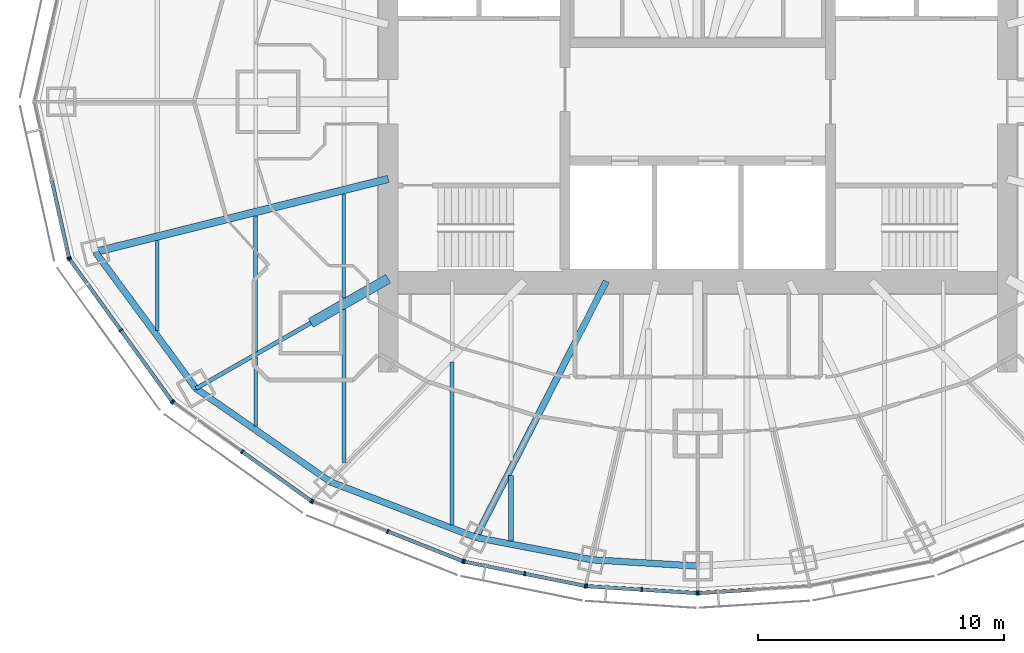
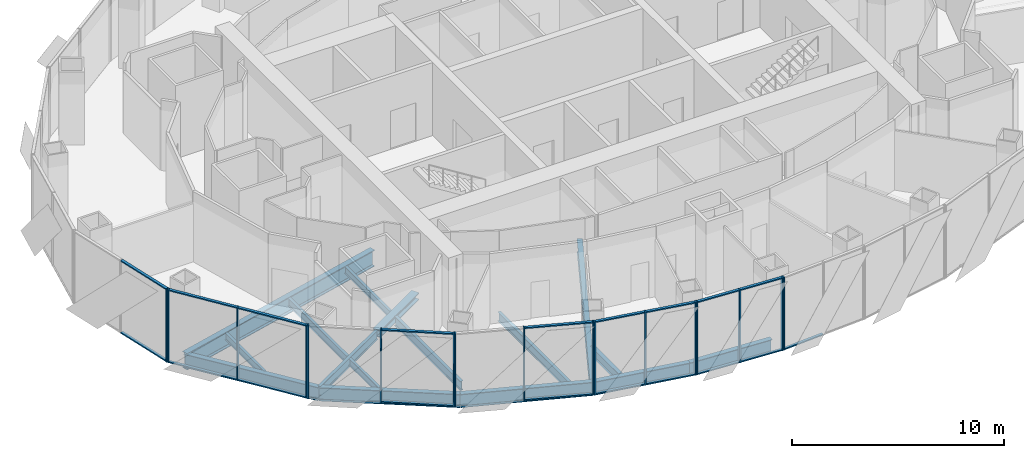
# One storey, part 2 of 18: 36 members, 16 beams, 7 elements without a shape of their own.
"""IFC4 building model written with IfcOpenShell, lengths in metres."""

import ifcopenshell
import ifcopenshell.guid

model = None  # the IFC model being written
_history = None  # IfcOwnerHistory: only IFC2X3 demands one
_inside = {}  # id of a spatial element -> (the spatial element, [elements in it])
_under = {}  # id of a project, library or spatial element -> (it, [spatial elements below it])
_declared = {}  # id of a project -> (the project, [libraries it declares])
_typed = {}  # id of a type object -> (the type object, [elements of that type])
_made_of = {}  # id of a material, layer set ... -> (it, [elements and type objects made of it])


def new_model(schema):
    """Start an empty IFC model of exactly this schema.

    Asked for "IFC4X3", IfcOpenShell would pick the latest addendum, in which some entities
    have other attributes; the version numbers below select the first issue.
    IFC2X3 requires an IfcOwnerHistory on every rooted entity: one is made here for all.
    """
    global model, _history
    if schema == "IFC4X3":
        model = ifcopenshell.file(schema_version=(4, 3, 0, 0))
    else:
        model = ifcopenshell.file(schema=schema)
    _inside.clear()
    _under.clear()
    _declared.clear()
    _typed.clear()
    _made_of.clear()
    _history = None
    if model.schema == "IFC2X3":
        org = make("IfcOrganization", Name="unknown")
        user = make(
            "IfcPersonAndOrganization",
            ThePerson=make("IfcPerson", FamilyName="unknown"),
            TheOrganization=org,
        )
        app = make(
            "IfcApplication",
            ApplicationDeveloper=org,
            Version="unknown",
            ApplicationFullName="unknown",
            ApplicationIdentifier="unknown",
        )
        _history = make(
            "IfcOwnerHistory",
            OwningUser=user,
            OwningApplication=app,
            ChangeAction="ADDED",
            CreationDate=0,
        )
    return model


def make(cls, **values):
    """One entity of the class cls with the attributes given. An attribute that is None is left unset."""
    return model.create_entity(
        cls, **{name: value for name, value in values.items() if value is not None}
    )


def rooted(cls, **values):
    """An entity with a GlobalId (a new one), such as an element, a storey or a relation."""
    return make(cls, GlobalId=ifcopenshell.guid.new(), OwnerHistory=_history, **values)


def si_unit(unit_type, name, prefix=None):
    """IfcSIUnit, for example si_unit("LENGTHUNIT", "METRE", prefix="MILLI")."""
    return make("IfcSIUnit", UnitType=unit_type, Prefix=prefix, Name=name)


def assignment(units):
    """IfcUnitAssignment: the units of a project."""
    return None if units is None else make("IfcUnitAssignment", Units=units)


def point(xyz):
    """IfcCartesianPoint."""
    return None if xyz is None else make("IfcCartesianPoint", Coordinates=xyz)


def direction(xyz):
    """IfcDirection."""
    return None if xyz is None else make("IfcDirection", DirectionRatios=xyz)


def frame(location, z_axis=None, x_axis=None):
    """IfcAxis2Placement3D, a coordinate frame: its origin and axes. An axis left out is left unset."""
    return make(
        "IfcAxis2Placement3D",
        Location=point(location),
        Axis=direction(z_axis),
        RefDirection=direction(x_axis),
    )


def frame_2d(location, x_axis=None):
    """IfcAxis2Placement2D, a coordinate frame in the plane: its origin and x axis."""
    return make(
        "IfcAxis2Placement2D", Location=point(location), RefDirection=direction(x_axis)
    )


def origin():
    """The frame at (0, 0, 0) with its axes left unset."""
    return frame((0.0, 0.0, 0.0))


def origin_2d():
    """The frame at (0, 0) in the plane with its x axis left unset."""
    return frame_2d((0.0, 0.0))


def place(relative_to, where):
    """IfcLocalPlacement: puts the frame where relative to a parent placement (None: the world)."""
    return make(
        "IfcLocalPlacement", PlacementRelTo=relative_to, RelativePlacement=where
    )


def context(
    kind, dimensions, precision=None, world=None, true_north=None, identifier=None
):
    """IfcGeometricRepresentationContext, for example the 3D "Model" context."""
    return make(
        "IfcGeometricRepresentationContext",
        ContextIdentifier=identifier,
        ContextType=kind,
        CoordinateSpaceDimension=dimensions,
        Precision=precision,
        WorldCoordinateSystem=world,
        TrueNorth=true_north,
    )


def subcontext(parent, identifier, kind, view, scale=None):
    """IfcGeometricRepresentationSubContext, for example "Body" below "Model"."""
    return make(
        "IfcGeometricRepresentationSubContext",
        ContextIdentifier=identifier,
        ContextType=kind,
        ParentContext=parent,
        TargetScale=scale,
        TargetView=view,
    )


def project(units=None, contexts=None):
    """IfcProject with its units and contexts."""
    return rooted(
        "IfcProject",
        Name="project",
        RepresentationContexts=contexts,
        UnitsInContext=assignment(units),
    )


def spatial(cls, under=None, at=None, **own):
    """A site, building, storey or space (cls), placed at a placement, below another one or the project."""
    s = rooted(cls, ObjectPlacement=at, **own)
    if under is not None:
        _under.setdefault(under.id(), (under, []))[1].append(s)
    return s


def profile(cls, at=None, kind="AREA", **sizes):
    """A parametric profile (cls). Its sizes go by their IFC names, for example OverallWidth=200.0."""
    return make(cls, ProfileType=kind, Position=at, **sizes)


def rectangle(**sizes):
    """IfcRectangleProfileDef."""
    return profile("IfcRectangleProfileDef", **sizes)


def i_section(**sizes):
    """IfcIShapeProfileDef."""
    return profile("IfcIShapeProfileDef", **sizes)


def extrude(swept, where, along, depth):
    """IfcExtrudedAreaSolid: the profile swept, set in the frame where, extruded along a direction by depth."""
    return make(
        "IfcExtrudedAreaSolid",
        SweptArea=swept,
        Position=where,
        ExtrudedDirection=direction(along),
        Depth=depth,
    )


def shape(context_of_items, identifier, shape_type, items):
    """IfcShapeRepresentation: the items that make up one representation, for example the "Body"."""
    return make(
        "IfcShapeRepresentation",
        ContextOfItems=context_of_items,
        RepresentationIdentifier=identifier,
        RepresentationType=shape_type,
        Items=items,
    )


def material(Name=None, Category=None):
    """IfcMaterial."""
    return make("IfcMaterial", Name=Name, Category=Category)


def material_profile(
    of_material, cross_section, Name=None, Category=None, Priority=None
):
    """IfcMaterialProfile: a cross section and its material."""
    return make(
        "IfcMaterialProfile",
        Name=Name,
        Material=of_material,
        Profile=cross_section,
        Priority=Priority,
        Category=Category,
    )


def profile_set(profiles, Name=None, composite=None):
    """IfcMaterialProfileSet."""
    return make(
        "IfcMaterialProfileSet",
        Name=Name,
        MaterialProfiles=profiles,
        CompositeProfile=composite,
    )


def made_of(thing, what):
    """Note that an element or type object is made of a material, layer set ...; save() writes the relation."""
    if what is not None:
        _made_of.setdefault(what.id(), (what, []))[1].append(thing)
    return thing


def type_object(cls, material=None, **own):
    """A type object (cls), such as IfcWallType, which elements share."""
    return made_of(rooted(cls, **own), material)


def element(
    cls,
    number,
    at=None,
    inside=None,
    cuts=None,
    type_object=None,
    material=None,
    context=None,
    identifier="Body",
    shape_type=None,
    held_by="IfcProductDefinitionShape",
    body=None,
    shapes=None,
    **own,
):
    """One element of the class cls, such as IfcWall. Its Tag is "e" and its number.

    at: its placement. inside: the storey or other place that contains it. cuts: it is an
    opening in that element (IfcRelVoidsElement). A single representation is given by context,
    identifier, shape_type and body (its items); several are given by shapes. held_by: the class
    of the entity that holds the representations. save() writes the other relations.
    """
    e = rooted(cls, Tag="e%d" % number, ObjectPlacement=at, **own)
    if body is not None:
        shapes = [shape(context, identifier, shape_type, body)]
    if shapes is not None:
        e.Representation = make(held_by, Representations=shapes)
    if inside is not None:
        _inside.setdefault(inside.id(), (inside, []))[1].append(e)
    if cuts is not None:
        rooted(
            "IfcRelVoidsElement", RelatingBuildingElement=cuts, RelatedOpeningElement=e
        )
    if type_object is not None:
        _typed.setdefault(type_object.id(), (type_object, []))[1].append(e)
    return made_of(e, material)


def aggregate(whole, parts):
    """IfcRelAggregates: a whole, such as a stair, and the parts it consists of."""
    return rooted("IfcRelAggregates", RelatingObject=whole, RelatedObjects=parts)


def save(model, path):
    """Write the relations noted so far, then the file.

    IfcRelAggregates (storeys below a building ...), IfcRelContainedInSpatialStructure (elements
    in a storey), IfcRelDefinesByType, IfcRelAssociatesMaterial and IfcRelDeclares: one each for
    every whole, place, type object, material and project.
    """
    for whole, parts in _under.values():
        aggregate(whole, parts)
    for where, things in _inside.values():
        rooted(
            "IfcRelContainedInSpatialStructure",
            RelatedElements=things,
            RelatingStructure=where,
        )
    for kind, things in _typed.values():
        rooted("IfcRelDefinesByType", RelatedObjects=things, RelatingType=kind)
    for what, things in _made_of.values():
        rooted("IfcRelAssociatesMaterial", RelatedObjects=things, RelatingMaterial=what)
    for by, libraries in _declared.values():
        rooted("IfcRelDeclares", RelatingContext=by, RelatedDefinitions=libraries)
    model.write(path)


model = new_model("IFC4")

# Units and contexts
model_context = context("Model", 3, precision=1e-05, world=origin(), true_north=direction((0.0, 1.0)))
body_context = subcontext(model_context, "Body", "Model", "MODEL_VIEW")
ifc_project = project(units=[si_unit("LENGTHUNIT", "METRE"), si_unit("AREAUNIT", "SQUARE_METRE"), si_unit("VOLUMEUNIT", "CUBIC_METRE"), si_unit("PLANEANGLEUNIT", "RADIAN"), si_unit("MASSUNIT", "GRAM", prefix="KILO")], contexts=[model_context])

# Site, building, storey
site_placement = place(None, origin())
site = spatial("IfcSite", under=ifc_project, at=site_placement, CompositionType="ELEMENT")
building_placement = place(site_placement, origin())
building = spatial("IfcBuilding", under=site, at=building_placement, Name="Lantaw Convention Tower", CompositionType="ELEMENT")
storey_placement = place(building_placement, frame((0.0, 0.0, 241.0)))
storey = spatial("IfcBuildingStorey", under=building, at=storey_placement, Name="L56", CompositionType="ELEMENT", Elevation=241.0)

# Beams
ifc_material_1 = material(Name="Steel ASTM A992", Category="steel")
ifc_material_profile_1 = material_profile(ifc_material_1, i_section(OverallWidth=0.2666015625, OverallDepth=0.76953125, WebThickness=0.015625, FlangeThickness=0.025390625, FilletRadius=0.0126953125, at=origin_2d()), Name="W30X132")
ifc_profile_set_1 = profile_set([ifc_material_profile_1], Name="Steel ASTM A992")
beam_type_1 = type_object("IfcBeamType", Name="Beam E W30X132", PredefinedType="SPANDREL", material=ifc_profile_set_1)
beam_1_placement = place(storey_placement, frame((-24.52197265625, -6.114013671875, -0.534912109375), z_axis=(0.593639188853, -0.804731329984, 0.0), x_axis=(0.804731329984, 0.593639188853, 0.0)))
element("IfcBeam", 1, at=beam_1_placement, inside=storey, type_object=beam_type_1, Name="Edge beam 14", PredefinedType="SPANDREL", context=body_context, shape_type="SweptSolid", body=[
    extrude(i_section(OverallWidth=0.2666015625, OverallDepth=0.76953125, WebThickness=0.015625, FlangeThickness=0.025390625, FilletRadius=0.0126953125, at=origin_2d()), origin(), (0.0, 0.0, 1.0), 6.904541015625),
])
beam_2_placement = place(storey_placement, frame((-20.423095703125, -11.67041015625, -0.534912109375), z_axis=(0.82135329406, -0.570419815869, 0.0), x_axis=(0.570419815869, 0.82135329406, 0.0)))
element("IfcBeam", 2, at=beam_2_placement, inside=storey, type_object=beam_type_1, Name="Edge beam 15", PredefinedType="SPANDREL", context=body_context, shape_type="SweptSolid", body=[
    extrude(i_section(OverallWidth=0.2666015625, OverallDepth=0.76953125, WebThickness=0.015625, FlangeThickness=0.025390625, FilletRadius=0.0126953125, at=origin_2d()), origin(), (0.0, 0.0, 1.0), 6.67041015625),
])
beam_3_placement = place(storey_placement, frame((-14.9443359375, -15.475341796875, -0.534912109375), z_axis=(0.934234988, -0.356658081637, 0.0), x_axis=(0.356658081637, 0.934234988, 0.0)))
element("IfcBeam", 3, at=beam_3_placement, inside=storey, type_object=beam_type_1, Name="Edge beam 16", PredefinedType="SPANDREL", context=body_context, shape_type="SweptSolid", body=[
    extrude(i_section(OverallWidth=0.2666015625, OverallDepth=0.76953125, WebThickness=0.015625, FlangeThickness=0.025390625, FilletRadius=0.0126953125, at=origin_2d()), origin(), (0.0, 0.0, 1.0), 6.32568359375),
])
beam_4_placement = place(storey_placement, frame((-9.03466796875, -17.7314453125, -0.534912109375), z_axis=(0.981972091702, -0.189025953556, 0.0), x_axis=(0.189025953556, 0.981972091702, 0.0)))
element("IfcBeam", 4, at=beam_4_placement, inside=storey, type_object=beam_type_1, Name="Edge beam 17", PredefinedType="SPANDREL", context=body_context, shape_type="SweptSolid", body=[
    extrude(i_section(OverallWidth=0.2666015625, OverallDepth=0.76953125, WebThickness=0.015625, FlangeThickness=0.025390625, FilletRadius=0.0126953125, at=origin_2d()), origin(), (0.0, 0.0, 1.0), 4.817626953125),
])
beam_5_placement = place(storey_placement, frame((-4.303955078125, -18.64208984375, -0.534912109375), z_axis=(0.998210730897, -0.059794119452, 0.0), x_axis=(0.059794119452, 0.998210730897, 0.0)))
element("IfcBeam", 5, at=beam_5_placement, inside=storey, type_object=beam_type_1, Name="Edge beam 18", PredefinedType="SPANDREL", context=body_context, shape_type="SweptSolid", body=[
    extrude(i_section(OverallWidth=0.2666015625, OverallDepth=0.76953125, WebThickness=0.015625, FlangeThickness=0.025390625, FilletRadius=0.0126953125, at=origin_2d()), origin(), (0.0, 0.0, 1.0), 4.311767578125),
])
ifc_material_profile_2 = material_profile(ifc_material_1, i_section(OverallWidth=0.1650390625, OverallDepth=0.52587890625, WebThickness=0.0087890625, FlangeThickness=0.011474609375, FilletRadius=0.0126953125, at=origin_2d()), Name="W21X44")
ifc_profile_set_2 = profile_set([ifc_material_profile_2], Name="Steel ASTM A992")
beam_type_2 = type_object("IfcBeamType", Name="Beam G W21X44", PredefinedType="BEAM", material=ifc_profile_set_2)
beam_6_placement = place(storey_placement, frame((-15.75, -9.0, -0.412841796875), z_axis=(-0.868237559289, -0.496148708192, 0.0), x_axis=(0.496148708192, -0.868237559289, 0.0)))
element("IfcBeam", 6, at=beam_6_placement, inside=storey, type_object=beam_type_2, Name="Floor girder on ray 15", PredefinedType="BEAM", context=body_context, shape_type="SweptSolid", body=[
    extrude(i_section(OverallWidth=0.1650390625, OverallDepth=0.52587890625, WebThickness=0.0087890625, FlangeThickness=0.011474609375, FilletRadius=0.0126953125, at=origin_2d()), origin(), (0.0, 0.0, 1.0), 5.38232421875),
])
ifc_material_profile_3 = material_profile(ifc_material_1, i_section(OverallWidth=0.2666015625, OverallDepth=0.7568359375, WebThickness=0.013916015625, FlangeThickness=0.019287109375, FilletRadius=0.0126953125, at=origin_2d()), Name="W30X108")
ifc_profile_set_3 = profile_set([ifc_material_profile_3], Name="Steel ASTM A992")
beam_type_3 = type_object("IfcBeamType", Name="Beam G W30X108", PredefinedType="BEAM", material=ifc_profile_set_3)
beam_7_placement = place(storey_placement, frame((-3.719482421875, -7.300048828125, -0.528564453125), z_axis=(-0.4539988787, -0.891002254845, 0.0), x_axis=(0.891002254845, -0.4539988787, 0.0)))
element("IfcBeam", 7, at=beam_7_placement, inside=storey, type_object=beam_type_3, Name="Floor girder on ray 17", PredefinedType="BEAM", context=body_context, shape_type="SweptSolid", body=[
    extrude(i_section(OverallWidth=0.2666015625, OverallDepth=0.7568359375, WebThickness=0.013916015625, FlangeThickness=0.019287109375, FilletRadius=0.0126953125, at=origin_2d()), origin(), (0.0, 0.0, 1.0), 11.70751953125),
])
ifc_material_profile_4 = material_profile(ifc_material_1, i_section(OverallWidth=0.307373046875, OverallDepth=0.9423828125, WebThickness=0.022216796875, FlangeThickness=0.039794921875, FilletRadius=0.0126953125, at=origin_2d()), Name="W36X232")
ifc_profile_set_4 = profile_set([ifc_material_profile_4], Name="Steel ASTM A992")
beam_type_4 = type_object("IfcBeamType", Name="Beam G W36X232", PredefinedType="BEAM", material=ifc_profile_set_4)
beam_8_placement = place(storey_placement, frame((-12.60009765625, -3.1416015625, -0.62109375), z_axis=(-0.970296589314, -0.241918434119, 0.0), x_axis=(0.241918434119, -0.970296589314, 0.0)))
element("IfcBeam", 8, at=beam_8_placement, inside=storey, type_object=beam_type_4, Name="Floor girder on ray 14", PredefinedType="BEAM", context=body_context, shape_type="SweptSolid", body=[
    extrude(i_section(OverallWidth=0.307373046875, OverallDepth=0.9423828125, WebThickness=0.022216796875, FlangeThickness=0.039794921875, FilletRadius=0.0126953125, at=origin_2d()), origin(), (0.0, 0.0, 1.0), 12.286865234375),
])
ifc_material_profile_5 = material_profile(ifc_material_1, i_section(OverallWidth=0.40380859375, OverallDepth=0.406494140625, WebThickness=0.027099609375, FlangeThickness=0.043701171875, FilletRadius=0.01513671875, at=origin_2d()), Name="W14X233")
ifc_profile_set_5 = profile_set([ifc_material_profile_5], Name="Steel ASTM A992")
beam_type_5 = type_object("IfcBeamType", Name="Beam GM W14X233", PredefinedType="BEAM", material=ifc_profile_set_5)
beam_9_placement = place(storey_placement, frame((-12.60009765625, -7.199951171875, -0.353271484375), z_axis=(-0.868230718294, -0.496160679428, 0.0), x_axis=(0.496160679428, -0.868230718294, 0.0)))
element("IfcBeam", 9, at=beam_9_placement, inside=storey, type_object=beam_type_5, Name="Core link beam on ray 15", PredefinedType="BEAM", context=body_context, shape_type="SweptSolid", body=[
    extrude(i_section(OverallWidth=0.40380859375, OverallDepth=0.406494140625, WebThickness=0.027099609375, FlangeThickness=0.043701171875, FilletRadius=0.01513671875, at=origin_2d()), origin(), (0.0, 0.0, 1.0), 3.6279296875),
])
ifc_material_profile_6 = material_profile(ifc_material_1, i_section(OverallWidth=0.140380859375, OverallDepth=0.40380859375, WebThickness=0.007080078125, FlangeThickness=0.01123046875, FilletRadius=0.01025390625, at=origin_2d()), Name="W16X31")
ifc_profile_set_6 = profile_set([ifc_material_profile_6], Name="Steel ASTM A992")
beam_type_6 = type_object("IfcBeamType", Name="Beam J W16X31", PredefinedType="JOIST", material=ifc_profile_set_6)
beam_10_placement = place(storey_placement, frame((-22.0, -9.30810546875, -0.35205078125), z_axis=(0.0, 1.0, 0.0), x_axis=(-1.0, 0.0, 0.0)))
element("IfcBeam", 10, at=beam_10_placement, inside=storey, type_object=beam_type_6, Name="Floor joist", PredefinedType="JOIST", context=body_context, shape_type="SweptSolid", body=[
    extrude(i_section(OverallWidth=0.140380859375, OverallDepth=0.40380859375, WebThickness=0.007080078125, FlangeThickness=0.01123046875, FilletRadius=0.01025390625, at=origin_2d()), origin(), (0.0, 0.0, 1.0), 3.66455078125),
])
beam_11_placement = place(storey_placement, frame((-18.0, -13.19091796875, -0.35205078125), z_axis=(0.0, 1.0, 0.0), x_axis=(-1.0, 0.0, 0.0)))
element("IfcBeam", 11, at=beam_11_placement, inside=storey, type_object=beam_type_6, Name="Floor joist", PredefinedType="JOIST", context=body_context, shape_type="SweptSolid", body=[
    extrude(i_section(OverallWidth=0.140380859375, OverallDepth=0.40380859375, WebThickness=0.007080078125, FlangeThickness=0.01123046875, FilletRadius=0.01025390625, at=origin_2d()), origin(), (0.0, 0.0, 1.0), 2.81005859375),
])
beam_12_placement = place(storey_placement, frame((-14.39990234375, -7.99609375, -0.35205078125), z_axis=(0.0, 1.0, 0.0), x_axis=(-1.0, 0.0, 0.0)))
element("IfcBeam", 12, at=beam_12_placement, inside=storey, type_object=beam_type_6, Name="Floor joist", PredefinedType="JOIST", context=body_context, shape_type="SweptSolid", body=[
    extrude(i_section(OverallWidth=0.140380859375, OverallDepth=0.40380859375, WebThickness=0.007080078125, FlangeThickness=0.01123046875, FilletRadius=0.01025390625, at=origin_2d()), origin(), (0.0, 0.0, 1.0), 4.247314453125),
])
ifc_material_profile_7 = material_profile(ifc_material_1, i_section(OverallWidth=0.15234375, OverallDepth=0.449462890625, WebThickness=0.007568359375, FlangeThickness=0.0107421875, FilletRadius=0.01025390625, at=origin_2d()), Name="W18X35")
ifc_profile_set_7 = profile_set([ifc_material_profile_7], Name="Steel ASTM A992")
beam_type_7 = type_object("IfcBeamType", Name="Beam J W18X35", PredefinedType="JOIST", material=ifc_profile_set_7)
beam_13_placement = place(storey_placement, frame((-18.0, -10.190673828125, -0.374755859375), z_axis=(0.0, 1.0, 0.0), x_axis=(-1.0, 0.0, 0.0)))
element("IfcBeam", 13, at=beam_13_placement, inside=storey, type_object=beam_type_7, Name="Floor joist", PredefinedType="JOIST", context=body_context, shape_type="SweptSolid", body=[
    extrude(i_section(OverallWidth=0.15234375, OverallDepth=0.449462890625, WebThickness=0.007568359375, FlangeThickness=0.0107421875, FilletRadius=0.01025390625, at=origin_2d()), origin(), (0.0, 0.0, 1.0), 5.54443359375),
])
ifc_material_profile_8 = material_profile(ifc_material_1, i_section(OverallWidth=0.1650390625, OverallDepth=0.52587890625, WebThickness=0.0087890625, FlangeThickness=0.011474609375, FilletRadius=0.0126953125, at=origin_2d()), Name="W21X44")
ifc_profile_set_8 = profile_set([ifc_material_profile_8], Name="Steel ASTM A992")
beam_type_8 = type_object("IfcBeamType", Name="Beam J W21X44", PredefinedType="JOIST", material=ifc_profile_set_8)
beam_14_placement = place(storey_placement, frame((-14.39990234375, -14.67578125, -0.412841796875), z_axis=(0.0, 1.0, 0.0), x_axis=(-1.0, 0.0, 0.0)))
element("IfcBeam", 14, at=beam_14_placement, inside=storey, type_object=beam_type_8, Name="Floor joist", PredefinedType="JOIST", context=body_context, shape_type="SweptSolid", body=[
    extrude(i_section(OverallWidth=0.1650390625, OverallDepth=0.52587890625, WebThickness=0.0087890625, FlangeThickness=0.011474609375, FilletRadius=0.0126953125, at=origin_2d()), origin(), (0.0, 0.0, 1.0), 6.214599609375),
])
beam_15_placement = place(storey_placement, frame((-10.0, -17.22021484375, -0.412841796875), z_axis=(0.0, 1.0, 0.0), x_axis=(-1.0, 0.0, 0.0)))
element("IfcBeam", 15, at=beam_15_placement, inside=storey, type_object=beam_type_8, Name="Floor joist", PredefinedType="JOIST", context=body_context, shape_type="SweptSolid", body=[
    extrude(i_section(OverallWidth=0.1650390625, OverallDepth=0.52587890625, WebThickness=0.0087890625, FlangeThickness=0.011474609375, FilletRadius=0.0126953125, at=origin_2d()), origin(), (0.0, 0.0, 1.0), 6.629150390625),
])
ifc_material_profile_9 = material_profile(ifc_material_1, i_section(OverallWidth=0.2099609375, OverallDepth=0.535888671875, WebThickness=0.010986328125, FlangeThickness=0.017333984375, FilletRadius=0.012939453125, at=origin_2d()), Name="W21X68")
ifc_profile_set_9 = profile_set([ifc_material_profile_9], Name="Steel ASTM A992")
beam_type_9 = type_object("IfcBeamType", Name="Beam J W21X68", PredefinedType="JOIST", material=ifc_profile_set_9)
beam_16_placement = place(storey_placement, frame((-7.60009765625, -17.871826171875, -0.41796875), z_axis=(0.0, 1.0, 0.0), x_axis=(-1.0, 0.0, 0.0)))
element("IfcBeam", 16, at=beam_16_placement, inside=storey, type_object=beam_type_9, Name="Floor joist", PredefinedType="JOIST", context=body_context, shape_type="SweptSolid", body=[
    extrude(i_section(OverallWidth=0.2099609375, OverallDepth=0.535888671875, WebThickness=0.010986328125, FlangeThickness=0.017333984375, FilletRadius=0.012939453125, at=origin_2d()), origin(), (0.0, 0.0, 1.0), 2.662353515625),
])

# Curtain wall, member
ifc_material_2 = material(Name="Aluminium framed curtain wall", Category="aluminium")
curtain_wall_type = type_object("IfcCurtainWallType", Name="Office curtain wall high rise, pale aluminium", PredefinedType="USERDEFINED", material=ifc_material_2)
curtain_wall_1_placement = place(storey_placement, origin())
curtain_wall_1 = element("IfcCurtainWall", 17, at=curtain_wall_1_placement, inside=storey, type_object=curtain_wall_type, Name="Office curtain wall high rise, pale aluminium L56", ObjectType="UNITISED CURTAIN WALL", PredefinedType="USERDEFINED")
ifc_material_3 = material(Name="Aluminium 6063-T6", Category="aluminium")
ifc_material_profile_10 = material_profile(ifc_material_3, rectangle(XDim=0.179931640625, YDim=0.06494140625, at=origin_2d()), Name="CW-O2 mullion 65x180")
ifc_profile_set_10 = profile_set([ifc_material_profile_10], Name="Aluminium 6063-T6")
member_type_1 = type_object("IfcMemberType", Name="CW-O2 mullion 65x180", PredefinedType="MULLION", material=ifc_profile_set_10)
member_1_placement = place(storey_placement, frame((-25.596435546875, -6.348388671875, -0.14990234375), z_axis=(0.0, 0.0, 1.0), x_axis=(0.976417396437, 0.215891333626, 0.0)))
member_1 = element("IfcMember", 18, at=member_1_placement, type_object=member_type_1, Name="CW-O2 mullion 3", PredefinedType="MULLION", context=body_context, shape_type="SweptSolid", body=[
    extrude(rectangle(XDim=0.179931640625, YDim=0.06494140625, at=origin_2d()), origin(), (0.0, 0.0, 1.0), 4.199951171875),
])

# Curtain wall, members
curtain_wall_2_placement = place(storey_placement, origin())
curtain_wall_2 = element("IfcCurtainWall", 19, at=curtain_wall_2_placement, inside=storey, type_object=curtain_wall_type, Name="Office curtain wall high rise, pale aluminium L56", ObjectType="UNITISED CURTAIN WALL", PredefinedType="USERDEFINED")
member_2_placement = place(storey_placement, frame((-25.5703125, -6.406494140625, -0.14990234375), z_axis=(0.0, 0.0, 1.0), x_axis=(0.810919559405, 0.585157643865, 0.0)))
member_2 = element("IfcMember", 20, at=member_2_placement, type_object=member_type_1, Name="CW-O2 mullion 1", PredefinedType="MULLION", context=body_context, shape_type="SweptSolid", body=[
    extrude(rectangle(XDim=0.179931640625, YDim=0.06494140625, at=origin_2d()), origin(), (0.0, 0.0, 1.0), 4.199951171875),
])
member_3_placement = place(storey_placement, frame((-23.483642578125, -9.298095703125, -0.14990234375), z_axis=(0.0, 0.0, 1.0), x_axis=(0.810919559405, 0.585157643865, 0.0)))
member_3 = element("IfcMember", 21, at=member_3_placement, type_object=member_type_1, Name="CW-O2 mullion 2", PredefinedType="MULLION", context=body_context, shape_type="SweptSolid", body=[
    extrude(rectangle(XDim=0.179931640625, YDim=0.06494140625, at=origin_2d()), origin(), (0.0, 0.0, 1.0), 4.199951171875),
])
member_4_placement = place(storey_placement, frame((-21.397216796875, -12.189697265625, -0.14990234375), z_axis=(0.0, 0.0, 1.0), x_axis=(0.810919559405, 0.585157643865, 0.0)))
member_4 = element("IfcMember", 22, at=member_4_placement, type_object=member_type_1, Name="CW-O2 mullion 3", PredefinedType="MULLION", context=body_context, shape_type="SweptSolid", body=[
    extrude(rectangle(XDim=0.179931640625, YDim=0.06494140625, at=origin_2d()), origin(), (0.0, 0.0, 1.0), 4.199951171875),
])

curtain_wall_3_placement = place(storey_placement, origin())
curtain_wall_3 = element("IfcCurtainWall", 23, at=curtain_wall_3_placement, inside=storey, type_object=curtain_wall_type, Name="Office curtain wall high rise, pale aluminium L56", ObjectType="UNITISED CURTAIN WALL", PredefinedType="USERDEFINED")
member_5_placement = place(storey_placement, frame((-21.3515625, -12.23486328125, -0.14990234375), z_axis=(0.0, 0.0, 1.0), x_axis=(0.581323487281, 0.813672540482, 0.0)))
member_5 = element("IfcMember", 24, at=member_5_placement, type_object=member_type_1, Name="CW-O2 mullion 1", PredefinedType="MULLION", context=body_context, shape_type="SweptSolid", body=[
    extrude(rectangle(XDim=0.179931640625, YDim=0.06494140625, at=origin_2d()), origin(), (0.0, 0.0, 1.0), 4.199951171875),
])
member_6_placement = place(storey_placement, frame((-18.543212890625, -14.241455078125, -0.14990234375), z_axis=(0.0, 0.0, 1.0), x_axis=(0.581323487281, 0.813672540482, 0.0)))
member_6 = element("IfcMember", 25, at=member_6_placement, type_object=member_type_1, Name="CW-O2 mullion 2", PredefinedType="MULLION", context=body_context, shape_type="SweptSolid", body=[
    extrude(rectangle(XDim=0.179931640625, YDim=0.06494140625, at=origin_2d()), origin(), (0.0, 0.0, 1.0), 4.199951171875),
])
member_7_placement = place(storey_placement, frame((-15.73486328125, -16.247802734375, -0.14990234375), z_axis=(0.0, 0.0, 1.0), x_axis=(0.581323487281, 0.813672540482, 0.0)))
member_7 = element("IfcMember", 26, at=member_7_placement, type_object=member_type_1, Name="CW-O2 mullion 3", PredefinedType="MULLION", context=body_context, shape_type="SweptSolid", body=[
    extrude(rectangle(XDim=0.179931640625, YDim=0.06494140625, at=origin_2d()), origin(), (0.0, 0.0, 1.0), 4.199951171875),
])

curtain_wall_4_placement = place(storey_placement, origin())
curtain_wall_4 = element("IfcCurtainWall", 27, at=curtain_wall_4_placement, inside=storey, type_object=curtain_wall_type, Name="Office curtain wall high rise, pale aluminium L56", ObjectType="UNITISED CURTAIN WALL", PredefinedType="USERDEFINED")
member_8_placement = place(storey_placement, frame((-15.67822265625, -16.278564453125, -0.14990234375), z_axis=(0.0, 0.0, 1.0), x_axis=(0.368162315252, 0.929761533743, 0.0)))
member_8 = element("IfcMember", 28, at=member_8_placement, type_object=member_type_1, Name="CW-O2 mullion 1", PredefinedType="MULLION", context=body_context, shape_type="SweptSolid", body=[
    extrude(rectangle(XDim=0.179931640625, YDim=0.06494140625, at=origin_2d()), origin(), (0.0, 0.0, 1.0), 4.199951171875),
])
member_9_placement = place(storey_placement, frame((-12.621337890625, -17.4892578125, -0.14990234375), z_axis=(0.0, 0.0, 1.0), x_axis=(0.368162315252, 0.929761533743, 0.0)))
member_9 = element("IfcMember", 29, at=member_9_placement, type_object=member_type_1, Name="CW-O2 mullion 2", PredefinedType="MULLION", context=body_context, shape_type="SweptSolid", body=[
    extrude(rectangle(XDim=0.179931640625, YDim=0.06494140625, at=origin_2d()), origin(), (0.0, 0.0, 1.0), 4.199951171875),
])
member_10_placement = place(storey_placement, frame((-9.564208984375, -18.69970703125, -0.14990234375), z_axis=(0.0, 0.0, 1.0), x_axis=(0.368162315252, 0.929761533743, 0.0)))
member_10 = element("IfcMember", 30, at=member_10_placement, type_object=member_type_1, Name="CW-O2 mullion 3", PredefinedType="MULLION", context=body_context, shape_type="SweptSolid", body=[
    extrude(rectangle(XDim=0.179931640625, YDim=0.06494140625, at=origin_2d()), origin(), (0.0, 0.0, 1.0), 4.199951171875),
])

curtain_wall_5_placement = place(storey_placement, origin())
curtain_wall_5 = element("IfcCurtainWall", 31, at=curtain_wall_5_placement, inside=storey, type_object=curtain_wall_type, Name="Office curtain wall high rise, pale aluminium L56", ObjectType="UNITISED CURTAIN WALL", PredefinedType="USERDEFINED")
member_11_placement = place(storey_placement, frame((-9.502197265625, -18.718017578125, -0.14990234375), z_axis=(0.0, 0.0, 1.0), x_axis=(0.197183095987, 0.980366679695, 0.0)))
member_11 = element("IfcMember", 32, at=member_11_placement, type_object=member_type_1, Name="CW-O2 mullion 1", PredefinedType="MULLION", context=body_context, shape_type="SweptSolid", body=[
    extrude(rectangle(XDim=0.179931640625, YDim=0.06494140625, at=origin_2d()), origin(), (0.0, 0.0, 1.0), 4.199951171875),
])
member_12_placement = place(storey_placement, frame((-7.042724609375, -19.212646484375, -0.14990234375), z_axis=(0.0, 0.0, 1.0), x_axis=(0.197183095987, 0.980366679695, 0.0)))
member_12 = element("IfcMember", 33, at=member_12_placement, type_object=member_type_1, Name="CW-O2 mullion 2", PredefinedType="MULLION", context=body_context, shape_type="SweptSolid", body=[
    extrude(rectangle(XDim=0.179931640625, YDim=0.06494140625, at=origin_2d()), origin(), (0.0, 0.0, 1.0), 4.199951171875),
])
member_13_placement = place(storey_placement, frame((-4.583251953125, -19.70751953125, -0.14990234375), z_axis=(0.0, 0.0, 1.0), x_axis=(0.197183095987, 0.980366679695, 0.0)))
member_13 = element("IfcMember", 34, at=member_13_placement, type_object=member_type_1, Name="CW-O2 mullion 3", PredefinedType="MULLION", context=body_context, shape_type="SweptSolid", body=[
    extrude(rectangle(XDim=0.179931640625, YDim=0.06494140625, at=origin_2d()), origin(), (0.0, 0.0, 1.0), 4.199951171875),
])

curtain_wall_6_placement = place(storey_placement, origin())
curtain_wall_6 = element("IfcCurtainWall", 35, at=curtain_wall_6_placement, inside=storey, type_object=curtain_wall_type, Name="Office curtain wall high rise, pale aluminium L56", ObjectType="UNITISED CURTAIN WALL", PredefinedType="USERDEFINED")
member_14_placement = place(storey_placement, frame((-4.518798828125, -19.7158203125, -0.14990234375), z_axis=(0.0, 0.0, 1.0), x_axis=(0.062757983884, 0.998028774865, 0.0)))
member_14 = element("IfcMember", 36, at=member_14_placement, type_object=member_type_1, Name="CW-O2 mullion 1", PredefinedType="MULLION", context=body_context, shape_type="SweptSolid", body=[
    extrude(rectangle(XDim=0.179931640625, YDim=0.06494140625, at=origin_2d()), origin(), (0.0, 0.0, 1.0), 4.199951171875),
])
member_15_placement = place(storey_placement, frame((-2.275634765625, -19.85693359375, -0.14990234375), z_axis=(0.0, 0.0, 1.0), x_axis=(0.062757983884, 0.998028774865, 0.0)))
member_15 = element("IfcMember", 37, at=member_15_placement, type_object=member_type_1, Name="CW-O2 mullion 2", PredefinedType="MULLION", context=body_context, shape_type="SweptSolid", body=[
    extrude(rectangle(XDim=0.179931640625, YDim=0.06494140625, at=origin_2d()), origin(), (0.0, 0.0, 1.0), 4.199951171875),
])
member_16_placement = place(storey_placement, frame((-0.032470703125, -19.998046875, -0.14990234375), z_axis=(0.0, 0.0, 1.0), x_axis=(0.062757983884, 0.998028774865, 0.0)))
member_16 = element("IfcMember", 38, at=member_16_placement, type_object=member_type_1, Name="CW-O2 mullion 3", PredefinedType="MULLION", context=body_context, shape_type="SweptSolid", body=[
    extrude(rectangle(XDim=0.179931640625, YDim=0.06494140625, at=origin_2d()), origin(), (0.0, 0.0, 1.0), 4.199951171875),
])

# Curtain wall, member
curtain_wall_7_placement = place(storey_placement, origin())
curtain_wall_7 = element("IfcCurtainWall", 39, at=curtain_wall_7_placement, inside=storey, type_object=curtain_wall_type, Name="Office curtain wall high rise, pale aluminium L56", ObjectType="UNITISED CURTAIN WALL", PredefinedType="USERDEFINED")
member_17_placement = place(storey_placement, frame((0.032470703125, -19.998046875, -0.14990234375), z_axis=(0.0, 0.0, 1.0), x_axis=(-0.062757983884, 0.998028774865, 0.0)))
member_17 = element("IfcMember", 40, at=member_17_placement, type_object=member_type_1, Name="CW-O2 mullion 1", PredefinedType="MULLION", context=body_context, shape_type="SweptSolid", body=[
    extrude(rectangle(XDim=0.179931640625, YDim=0.06494140625, at=origin_2d()), origin(), (0.0, 0.0, 1.0), 4.199951171875),
])

# Member
ifc_material_profile_11 = material_profile(ifc_material_3, rectangle(XDim=0.14990234375, YDim=0.06494140625, at=origin_2d()), Name="CW-O2 transom 65x150")
ifc_profile_set_11 = profile_set([ifc_material_profile_11], Name="Aluminium 6063-T6")
member_type_2 = type_object("IfcMemberType", Name="CW-O2 transom 65x150", PredefinedType="USERDEFINED", material=ifc_profile_set_11)
member_18_placement = place(storey_placement, frame((-26.28759765625, -3.2216796875, -0.117431640625), z_axis=(0.215894607042, -0.976416672661, 0.0), x_axis=(0.976416672661, 0.215894607042, 0.0)))
member_18 = element("IfcMember", 41, at=member_18_placement, type_object=member_type_2, Name="CW-O2 transom 2.1", ObjectType="TRANSOM", PredefinedType="USERDEFINED", context=body_context, shape_type="SweptSolid", body=[
    extrude(rectangle(XDim=0.14990234375, YDim=0.06494140625, at=origin_2d()), origin(), (0.0, 0.0, 1.0), 3.169677734375),
])

member_19_placement = place(storey_placement, frame((-26.28759765625, -3.2216796875, 4.017578125), z_axis=(0.215894607042, -0.976416672661, 0.0), x_axis=(0.976416672661, 0.215894607042, 0.0)))
member_19 = element("IfcMember", 42, at=member_19_placement, type_object=member_type_2, Name="CW-O2 transom 2.2", ObjectType="TRANSOM", PredefinedType="USERDEFINED", context=body_context, shape_type="SweptSolid", body=[
    extrude(rectangle(XDim=0.14990234375, YDim=0.06494140625, at=origin_2d()), origin(), (0.0, 0.0, 1.0), 3.169677734375),
])

aggregate(curtain_wall_1, [member_1, member_18, member_19])

member_20_placement = place(storey_placement, frame((-25.55126953125, -6.432861328125, -0.117431640625), z_axis=(0.585169685931, -0.810910869743, 0.0), x_axis=(0.810910869743, 0.585169685931, 0.0)))
member_20 = element("IfcMember", 43, at=member_20_placement, type_object=member_type_2, Name="CW-O2 transom 1.1", ObjectType="TRANSOM", PredefinedType="USERDEFINED", context=body_context, shape_type="SweptSolid", body=[
    extrude(rectangle(XDim=0.14990234375, YDim=0.06494140625, at=origin_2d()), origin(), (0.0, 0.0, 1.0), 3.500732421875),
])

member_21_placement = place(storey_placement, frame((-25.55126953125, -6.432861328125, 4.017578125), z_axis=(0.585169685931, -0.810910869743, 0.0), x_axis=(0.810910869743, 0.585169685931, 0.0)))
member_21 = element("IfcMember", 44, at=member_21_placement, type_object=member_type_2, Name="CW-O2 transom 1.2", ObjectType="TRANSOM", PredefinedType="USERDEFINED", context=body_context, shape_type="SweptSolid", body=[
    extrude(rectangle(XDim=0.14990234375, YDim=0.06494140625, at=origin_2d()), origin(), (0.0, 0.0, 1.0), 3.500732421875),
])

member_22_placement = place(storey_placement, frame((-23.464599609375, -9.324462890625, -0.117431640625), z_axis=(0.585123825205, -0.810943961798, 0.0), x_axis=(0.810943961798, 0.585123825205, 0.0)))
member_22 = element("IfcMember", 45, at=member_22_placement, type_object=member_type_2, Name="CW-O2 transom 2.1", ObjectType="TRANSOM", PredefinedType="USERDEFINED", context=body_context, shape_type="SweptSolid", body=[
    extrude(rectangle(XDim=0.14990234375, YDim=0.06494140625, at=origin_2d()), origin(), (0.0, 0.0, 1.0), 3.500732421875),
])

member_23_placement = place(storey_placement, frame((-23.464599609375, -9.324462890625, 4.017578125), z_axis=(0.585123825205, -0.810943961798, 0.0), x_axis=(0.810943961798, 0.585123825205, 0.0)))
member_23 = element("IfcMember", 46, at=member_23_placement, type_object=member_type_2, Name="CW-O2 transom 2.2", ObjectType="TRANSOM", PredefinedType="USERDEFINED", context=body_context, shape_type="SweptSolid", body=[
    extrude(rectangle(XDim=0.14990234375, YDim=0.06494140625, at=origin_2d()), origin(), (0.0, 0.0, 1.0), 3.500732421875),
])

aggregate(curtain_wall_2, [member_2, member_3, member_4, member_20, member_21, member_22, member_23])

member_24_placement = place(storey_placement, frame((-18.516845703125, -14.26025390625, -0.117431640625), z_axis=(0.813645780821, -0.581360940683, 0.0), x_axis=(0.581360940683, 0.813645780821, 0.0)))
member_24 = element("IfcMember", 47, at=member_24_placement, type_object=member_type_2, Name="CW-O2 transom 2.1", ObjectType="TRANSOM", PredefinedType="USERDEFINED", context=body_context, shape_type="SweptSolid", body=[
    extrude(rectangle(XDim=0.14990234375, YDim=0.06494140625, at=origin_2d()), origin(), (0.0, 0.0, 1.0), 3.386474609375),
])

member_25_placement = place(storey_placement, frame((-18.516845703125, -14.26025390625, 4.017578125), z_axis=(0.813645780821, -0.581360940683, 0.0), x_axis=(0.581360940683, 0.813645780821, 0.0)))
member_25 = element("IfcMember", 48, at=member_25_placement, type_object=member_type_2, Name="CW-O2 transom 2.2", ObjectType="TRANSOM", PredefinedType="USERDEFINED", context=body_context, shape_type="SweptSolid", body=[
    extrude(rectangle(XDim=0.14990234375, YDim=0.06494140625, at=origin_2d()), origin(), (0.0, 0.0, 1.0), 3.386474609375),
])

aggregate(curtain_wall_3, [member_5, member_6, member_7, member_24, member_25])

member_26_placement = place(storey_placement, frame((-12.591064453125, -17.501220703125, -0.117431640625), z_axis=(0.929766642946, -0.368149412149, 0.0), x_axis=(0.368149412149, 0.929766642946, 0.0)))
member_26 = element("IfcMember", 49, at=member_26_placement, type_object=member_type_2, Name="CW-O2 transom 2.1", ObjectType="TRANSOM", PredefinedType="USERDEFINED", context=body_context, shape_type="SweptSolid", body=[
    extrude(rectangle(XDim=0.14990234375, YDim=0.06494140625, at=origin_2d()), origin(), (0.0, 0.0, 1.0), 3.222900390625),
])

member_27_placement = place(storey_placement, frame((-12.591064453125, -17.501220703125, 4.017578125), z_axis=(0.929766642946, -0.368149412149, 0.0), x_axis=(0.368149412149, 0.929766642946, 0.0)))
member_27 = element("IfcMember", 50, at=member_27_placement, type_object=member_type_2, Name="CW-O2 transom 2.2", ObjectType="TRANSOM", PredefinedType="USERDEFINED", context=body_context, shape_type="SweptSolid", body=[
    extrude(rectangle(XDim=0.14990234375, YDim=0.06494140625, at=origin_2d()), origin(), (0.0, 0.0, 1.0), 3.222900390625),
])

aggregate(curtain_wall_4, [member_8, member_9, member_10, member_26, member_27])

member_28_placement = place(storey_placement, frame((-9.47021484375, -18.724365234375, -0.117431640625), z_axis=(0.98036104319, -0.197211117829, 0.0), x_axis=(0.197211117829, 0.98036104319, 0.0)))
member_28 = element("IfcMember", 51, at=member_28_placement, type_object=member_type_2, Name="CW-O2 transom 1.1", ObjectType="TRANSOM", PredefinedType="USERDEFINED", context=body_context, shape_type="SweptSolid", body=[
    extrude(rectangle(XDim=0.14990234375, YDim=0.06494140625, at=origin_2d()), origin(), (0.0, 0.0, 1.0), 2.44384765625),
])

member_29_placement = place(storey_placement, frame((-9.47021484375, -18.724365234375, 4.017578125), z_axis=(0.98036104319, -0.197211117829, 0.0), x_axis=(0.197211117829, 0.98036104319, 0.0)))
member_29 = element("IfcMember", 52, at=member_29_placement, type_object=member_type_2, Name="CW-O2 transom 1.2", ObjectType="TRANSOM", PredefinedType="USERDEFINED", context=body_context, shape_type="SweptSolid", body=[
    extrude(rectangle(XDim=0.14990234375, YDim=0.06494140625, at=origin_2d()), origin(), (0.0, 0.0, 1.0), 2.44384765625),
])

member_30_placement = place(storey_placement, frame((-7.0107421875, -19.21923828125, -0.117431640625), z_axis=(0.980380354178, -0.197115096178, 0.0), x_axis=(0.197115096178, 0.980380354178, 0.0)))
member_30 = element("IfcMember", 53, at=member_30_placement, type_object=member_type_2, Name="CW-O2 transom 2.1", ObjectType="TRANSOM", PredefinedType="USERDEFINED", context=body_context, shape_type="SweptSolid", body=[
    extrude(rectangle(XDim=0.14990234375, YDim=0.06494140625, at=origin_2d()), origin(), (0.0, 0.0, 1.0), 2.443603515625),
])

member_31_placement = place(storey_placement, frame((-7.0107421875, -19.21923828125, 4.017578125), z_axis=(0.980380354178, -0.197115096178, 0.0), x_axis=(0.197115096178, 0.980380354178, 0.0)))
member_31 = element("IfcMember", 54, at=member_31_placement, type_object=member_type_2, Name="CW-O2 transom 2.2", ObjectType="TRANSOM", PredefinedType="USERDEFINED", context=body_context, shape_type="SweptSolid", body=[
    extrude(rectangle(XDim=0.14990234375, YDim=0.06494140625, at=origin_2d()), origin(), (0.0, 0.0, 1.0), 2.443603515625),
])

aggregate(curtain_wall_5, [member_11, member_12, member_13, member_28, member_29, member_30, member_31])

member_32_placement = place(storey_placement, frame((-4.486328125, -19.7177734375, -0.117431640625), z_axis=(0.998021991509, -0.062865765437, 0.0), x_axis=(0.062865765437, 0.998021991509, 0.0)))
member_32 = element("IfcMember", 55, at=member_32_placement, type_object=member_type_2, Name="CW-O2 transom 1.1", ObjectType="TRANSOM", PredefinedType="USERDEFINED", context=body_context, shape_type="SweptSolid", body=[
    extrude(rectangle(XDim=0.14990234375, YDim=0.06494140625, at=origin_2d()), origin(), (0.0, 0.0, 1.0), 2.1826171875),
])

member_33_placement = place(storey_placement, frame((-4.486328125, -19.7177734375, 4.017578125), z_axis=(0.998021991509, -0.062865765437, 0.0), x_axis=(0.062865765437, 0.998021991509, 0.0)))
member_33 = element("IfcMember", 56, at=member_33_placement, type_object=member_type_2, Name="CW-O2 transom 1.2", ObjectType="TRANSOM", PredefinedType="USERDEFINED", context=body_context, shape_type="SweptSolid", body=[
    extrude(rectangle(XDim=0.14990234375, YDim=0.06494140625, at=origin_2d()), origin(), (0.0, 0.0, 1.0), 2.1826171875),
])

member_34_placement = place(storey_placement, frame((-2.2431640625, -19.85888671875, -0.117431640625), z_axis=(0.998029003644, -0.062754345555, 0.0), x_axis=(0.062754345555, 0.998029003644, 0.0)))
member_34 = element("IfcMember", 57, at=member_34_placement, type_object=member_type_2, Name="CW-O2 transom 2.1", ObjectType="TRANSOM", PredefinedType="USERDEFINED", context=body_context, shape_type="SweptSolid", body=[
    extrude(rectangle(XDim=0.14990234375, YDim=0.06494140625, at=origin_2d()), origin(), (0.0, 0.0, 1.0), 2.1826171875),
])

member_35_placement = place(storey_placement, frame((-2.2431640625, -19.85888671875, 4.017578125), z_axis=(0.998029003644, -0.062754345555, 0.0), x_axis=(0.062754345555, 0.998029003644, 0.0)))
member_35 = element("IfcMember", 58, at=member_35_placement, type_object=member_type_2, Name="CW-O2 transom 2.2", ObjectType="TRANSOM", PredefinedType="USERDEFINED", context=body_context, shape_type="SweptSolid", body=[
    extrude(rectangle(XDim=0.14990234375, YDim=0.06494140625, at=origin_2d()), origin(), (0.0, 0.0, 1.0), 2.1826171875),
])

aggregate(curtain_wall_6, [member_14, member_15, member_16, member_32, member_33, member_34, member_35])

member_36_placement = place(storey_placement, frame((0.06494140625, -19.995849609375, -0.117431640625), z_axis=(0.998029003644, 0.062754345555, 0.0), x_axis=(-0.062754345555, 0.998029003644, 0.0)))
member_36 = element("IfcMember", 59, at=member_36_placement, type_object=member_type_2, Name="CW-O2 transom 1.1", ObjectType="TRANSOM", PredefinedType="USERDEFINED", context=body_context, shape_type="SweptSolid", body=[
    extrude(rectangle(XDim=0.14990234375, YDim=0.06494140625, at=origin_2d()), origin(), (0.0, 0.0, 1.0), 2.1826171875),
])

aggregate(curtain_wall_7, [member_17, member_36])

save(model, "model.ifc")
